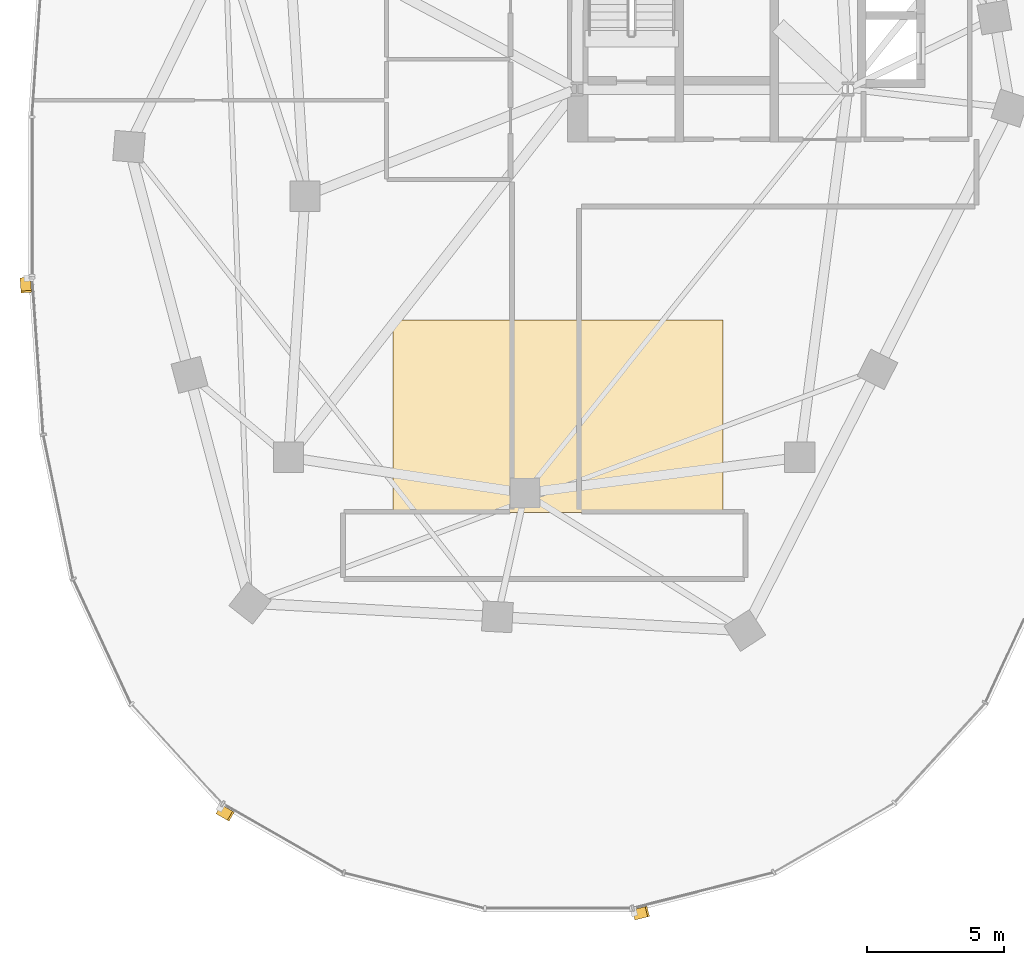
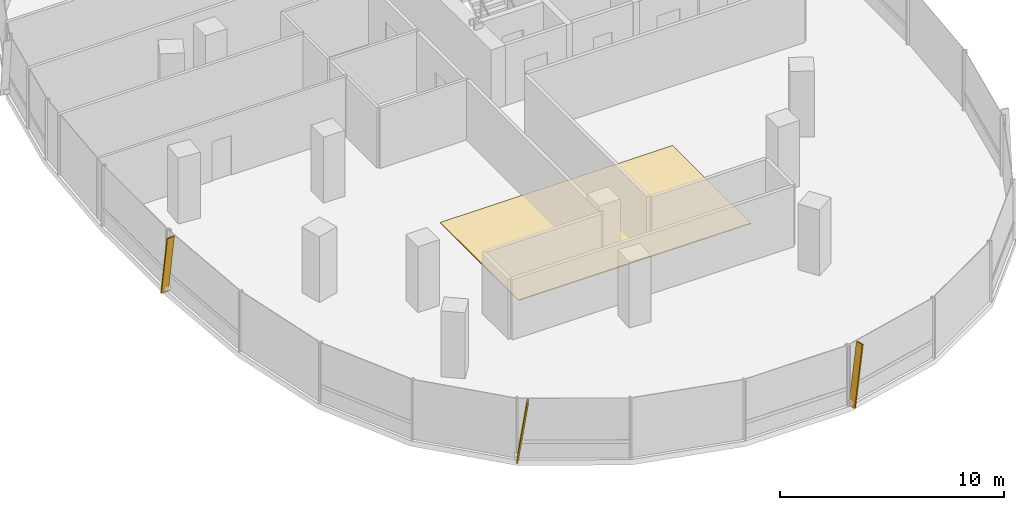
# One storey, part 17 of 21: 3 shading devices, 1 covering.
"""IFC4 building model written with IfcOpenShell, lengths in metres."""

from ifc_helpers import new_model, si_unit, direction, frame, origin, origin_2d, place, context, subcontext, project, spatial, polyline, rectangle, outline, extrude, material, layer, layer_set, material_profile, profile_set, type_object, element, save


model = new_model("IFC4")

# Units and contexts
model_context = context("Model", 3, precision=1e-05, world=origin(), true_north=direction((0.0, 1.0)))
body_context = subcontext(model_context, "Body", "Model", "MODEL_VIEW")
ifc_project = project(units=[si_unit("LENGTHUNIT", "METRE"), si_unit("AREAUNIT", "SQUARE_METRE"), si_unit("VOLUMEUNIT", "CUBIC_METRE"), si_unit("PLANEANGLEUNIT", "RADIAN"), si_unit("MASSUNIT", "GRAM", prefix="KILO"), si_unit("THERMODYNAMICTEMPERATUREUNIT", "KELVIN"), si_unit("POWERUNIT", "WATT")], contexts=[model_context])

# Site, building, storey
site_placement = place(None, origin())
site = spatial("IfcSite", under=ifc_project, at=site_placement, CompositionType="ELEMENT")
building_placement = place(site_placement, origin())
building = spatial("IfcBuilding", under=site, at=building_placement, Name="Cundina Bronze Exchange", CompositionType="ELEMENT")
storey_placement = place(building_placement, frame((0.0, 0.0, 81.800048828125)))
storey = spatial("IfcBuildingStorey", under=building, at=storey_placement, Name="L20", CompositionType="ELEMENT", Elevation=81.800048828125)

# Covering
ifc_material_1 = material(Name="Raised Access Steel-Cementitious Floor Panel 40mm", Category="steel")
ifc_layer = layer(ifc_material_1, 0.0400390625, Name="Raised Access Steel-Cementitious Floor Panel 40mm", Category="steel")
ifc_layer_set = layer_set([ifc_layer], Name="Raised Access Steel-Cementitious Floor Panel 40mm")
covering_type = type_object("IfcCoveringType", Name="COV-FLR-RAF40", PredefinedType="FLOORING", material=ifc_layer_set)
covering_placement = place(storey_placement, origin())
element("IfcCovering", 1, at=covering_placement, inside=storey, type_object=covering_type, Name="L20 W UFAD Raised Access Trading Floor", PredefinedType="FLOORING", context=body_context, shape_type="SweptSolid", body=[
    extrude(outline(polyline([(-38.0, -11.5), (-26.0, -11.5), (-26.0, -4.5), (-38.0, -4.5), (-38.0, -11.5)])), origin(), (0.0, 0.0, 1.0), 0.0400390625),
])

# Shading devices
ifc_material_2 = material(Name="Anodised Bronze Aluminium 6063-T6", Category="aluminium")
ifc_material_profile = material_profile(ifc_material_2, rectangle(XDim=0.070068359375, YDim=0.3798828125, at=origin_2d()), Name="FIN70X380", Category="aluminium")
ifc_profile_set = profile_set([ifc_material_profile], Name="Anodised Bronze Aluminium 6063-T6")
shading_device_type = type_object("IfcShadingDeviceType", Name="SHD-FIN-BRZ380", PredefinedType="USERDEFINED", material=ifc_profile_set)
for number, where, z_axis, x_axis, name in (
    (2, (-51.3740234375, -2.993896484375, 0.02001953125), (0.010224545828, -0.145292278041, 0.989335945271), (-0.069450050635, 0.986895284755, 0.145651595925), "L20 Diagonal Bronze Solar Fin 1"),
    (3, (-44.314208984375, -22.314208984375, 0.02001953125), (0.126324692219, -0.072534823274, 0.989333498649), (-0.857958278167, 0.492634108109, 0.145668213594), "L20 Diagonal Bronze Solar Fin 5"),
    (4, (-29.212646484375, -26.138427734375, 0.02001953125), (0.141217047268, 0.035711761166, 0.989334329575), (-0.95914051701, -0.242552848478, 0.145662570088), "L20 Diagonal Bronze Solar Fin 1"),
):
    element("IfcShadingDevice", number, at=place(storey_placement, frame(where, z_axis=z_axis, x_axis=x_axis)), inside=storey, type_object=shading_device_type, Name=name, ObjectType="FIN", PredefinedType="USERDEFINED", context=body_context, shape_type="SweptSolid", body=[
        extrude(rectangle(XDim=0.070068359375, YDim=0.3798828125, at=origin_2d()), origin(), (0.0, 0.0, 1.0), 3.295166015625),
    ])

save(model, "model.ifc")
